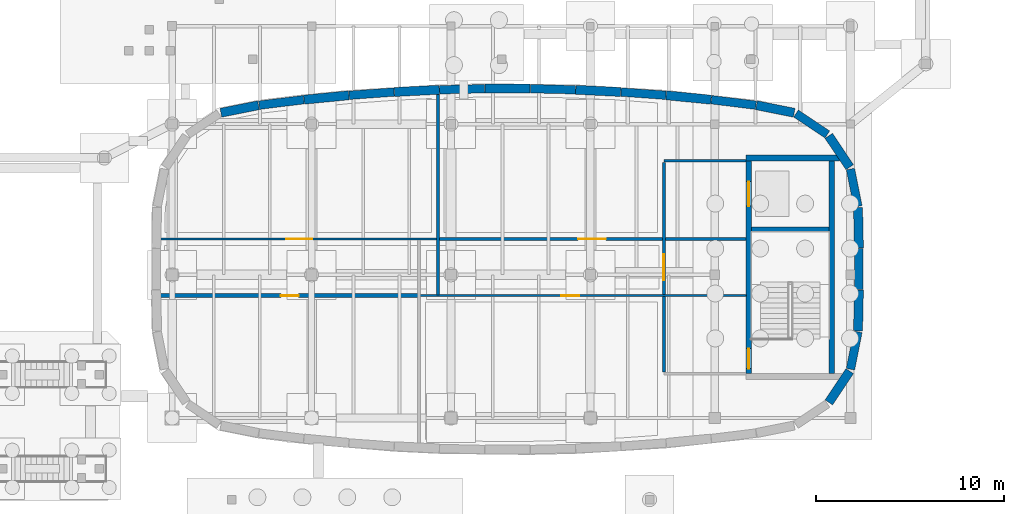
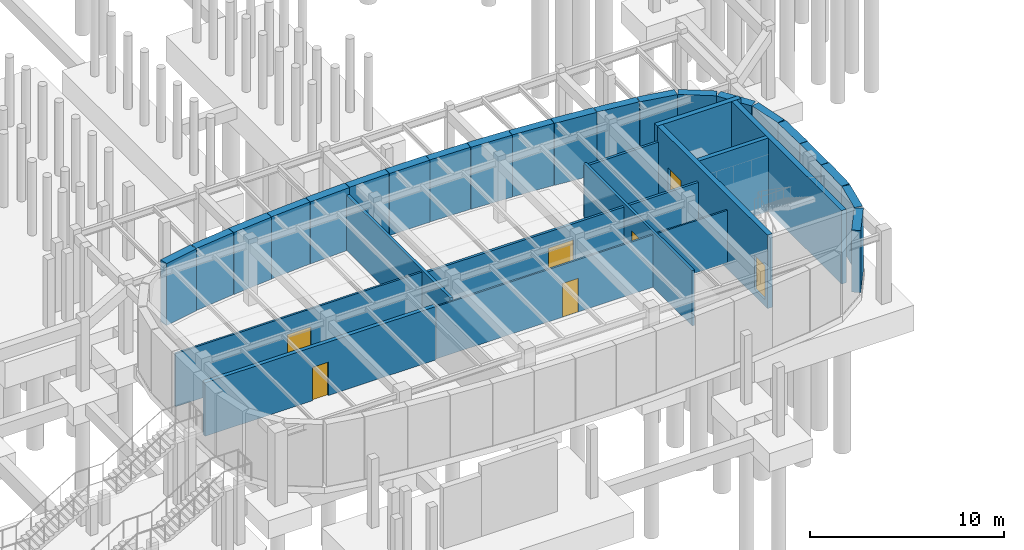
# One storey, part 34 of 45: 32 walls, 7 doors, 7 openings.
"""IFC4 building model written with IfcOpenShell, lengths in metres."""

from ifc_helpers import new_model, si_unit, direction, frame, frame_2d, origin, place, context, subcontext, project, spatial, rectangle, extrude, material, layer, layer_set, type_object, element, fill, save


model = new_model("IFC4")

# Units and contexts
model_context = context("Model", 3, precision=1e-05, world=origin(), true_north=direction((0.0, 1.0)))
body_context = subcontext(model_context, "Body", "Model", "MODEL_VIEW")
ifc_project = project(units=[si_unit("LENGTHUNIT", "METRE"), si_unit("AREAUNIT", "SQUARE_METRE"), si_unit("VOLUMEUNIT", "CUBIC_METRE"), si_unit("PLANEANGLEUNIT", "RADIAN"), si_unit("MASSUNIT", "GRAM", prefix="KILO")], contexts=[model_context])

# Site, building, storey
site_placement = place(None, origin())
site = spatial("IfcSite", under=ifc_project, at=site_placement, CompositionType="ELEMENT")
building_placement = place(site_placement, origin())
building = spatial("IfcBuilding", under=site, at=building_placement, Name="Corveleigh Park Community Centre", CompositionType="ELEMENT")
storey_placement = place(building_placement, frame((0.0, 0.0, -4.199951171875)))
storey = spatial("IfcBuildingStorey", under=building, at=storey_placement, Name="B1", CompositionType="ELEMENT", Elevation=-4.199951171875)

# Wall, opening, door
ifc_material_1 = material(Name="Gypsum acoustic stud partition", Category="gypsum")
ifc_layer_1 = layer(ifc_material_1, 0.10009765625, Name="Gypsum acoustic stud partition", Category="gypsum")
ifc_layer_set_1 = layer_set([ifc_layer_1], Name="Gypsum acoustic stud partition")
wall_type_1 = type_object("IfcWallType", Name="WL-PRT-100", PredefinedType="PARTITIONING", material=ifc_layer_set_1)
wall_1_placement = place(storey_placement, frame((85.10009765625, 17.699951171875, 0.0), z_axis=(0.0, 0.0, 1.0), x_axis=(1.0, 0.0, 0.0)))
wall_1 = element("IfcWall", 1, at=wall_1_placement, inside=storey, type_object=wall_type_1, Name="Bakery Teaching Kitchen corridor wall", PredefinedType="PARTITIONING", context=body_context, shape_type="SweptSolid", body=[
    extrude(rectangle(XDim=17.36181640625, YDim=0.10009765625, at=frame_2d((8.680908203125, 0.0))), origin(), (0.0, 0.0, 1.0), 3.284912109375),
])
opening_1_placement = place(wall_1_placement, frame((7.5458984375, 0.0, 0.0)))
opening_1 = element("IfcOpeningElement", 2, at=opening_1_placement, cuts=wall_1, Name="Opening ID02", PredefinedType="OPENING", context=body_context, shape_type="SweptSolid", body=[
    extrude(rectangle(XDim=0.949951171875, YDim=2.110107421875, at=frame_2d((0.47509765625, 1.05517578125))), frame((0.0, 0.06005859375, 0.0), z_axis=(0.0, -1.0, 0.0), x_axis=(1.0, 0.0, 0.0)), (0.0, 0.0, 1.0), 0.1201171875),
])
ifc_material_2 = material(Name="Hardwood acoustic door leaf", Category="wood")
door_type_1 = type_object("IfcDoorType", Name="DR-INT-0950x2110", OperationType="NOTDEFINED", PredefinedType="DOOR", material=ifc_material_2)
door_1_placement = place(opening_1_placement, origin())
door_1 = element("IfcDoor", 3, at=door_1_placement, inside=storey, type_object=door_type_1, Name="Bakery Teaching Kitchen door", OperationType="SINGLE_SWING_LEFT", OverallHeight=2.110107421875, OverallWidth=0.949951171875, PredefinedType="DOOR", context=body_context, shape_type="SweptSolid", body=[
    extrude(rectangle(XDim=0.949951171875, YDim=2.110107421875, at=frame_2d((0.47509765625, 1.05517578125))), frame((0.0, 0.02490234375, 0.0), z_axis=(0.0, -1.0, 0.0), x_axis=(1.0, 0.0, 0.0)), (0.0, 0.0, 1.0), 0.050048828125),
])
fill(opening_1, door_1)

ifc_layer_2 = layer(ifc_material_1, 0.114990234375, Name="Gypsum acoustic stud partition", Category="gypsum")
ifc_layer_set_2 = layer_set([ifc_layer_2], Name="Gypsum acoustic stud partition")
wall_type_2 = type_object("IfcWallType", Name="WL-PRT-115", PredefinedType="PARTITIONING", material=ifc_layer_set_2)
wall_2_placement = place(storey_placement, frame((86.10009765625, 20.699951171875, 0.0), z_axis=(0.0, 0.0, 1.0), x_axis=(-1.0, 0.0, 0.0)))
wall_2 = element("IfcWall", 4, at=wall_2_placement, inside=storey, type_object=wall_type_2, Name="Community Archive Vault corridor wall", PredefinedType="PARTITIONING", context=body_context, shape_type="SweptSolid", body=[
    extrude(rectangle(XDim=14.708984375, YDim=0.114990234375, at=frame_2d((7.3544921875, 0.0))), origin(), (0.0, 0.0, 1.0), 3.3349609375),
])
opening_2_placement = place(wall_2_placement, frame((6.6640625, 0.0, 0.0)))
opening_2 = element("IfcOpeningElement", 5, at=opening_2_placement, cuts=wall_2, Name="Opening FD02", PredefinedType="OPENING", context=body_context, shape_type="SweptSolid", body=[
    extrude(rectangle(XDim=1.3798828125, YDim=2.199951171875, at=frame_2d((0.68994140625, 1.10009765625))), frame((0.0, 0.0673828125, 0.0), z_axis=(0.0, -1.0, 0.0), x_axis=(1.0, 0.0, 0.0)), (0.0, 0.0, 1.0), 0.135009765625),
])
door_type_2 = type_object("IfcDoorType", Name="DR-FIR-1380x2200", OperationType="DOUBLE_DOOR_SINGLE_SWING", PredefinedType="DOOR", material=ifc_material_2)
door_2_placement = place(opening_2_placement, origin())
door_2 = element("IfcDoor", 6, at=door_2_placement, inside=storey, type_object=door_type_2, Name="Community Archive Vault door", OperationType="DOUBLE_DOOR_SINGLE_SWING", OverallHeight=2.199951171875, OverallWidth=1.3798828125, PredefinedType="DOOR", context=body_context, shape_type="SweptSolid", body=[
    extrude(rectangle(XDim=1.3798828125, YDim=2.199951171875, at=frame_2d((0.68994140625, 1.10009765625))), frame((0.0, 0.02490234375, 0.0), z_axis=(0.0, -1.0, 0.0), x_axis=(1.0, 0.0, 0.0)), (0.0, 0.0, 1.0), 0.050048828125),
])
fill(opening_2, door_2)

# Wall
ifc_layer_3 = layer(ifc_material_1, 0.14990234375, Name="Gypsum acoustic stud partition", Category="gypsum")
ifc_layer_set_3 = layer_set([ifc_layer_3], Name="Gypsum acoustic stud partition")
wall_type_3 = type_object("IfcWallType", Name="WL-PRT-150", PredefinedType="PARTITIONING", material=ifc_layer_set_3)
wall_3_placement = place(storey_placement, frame((102.465087890625, 24.85009765625, 0.0), z_axis=(0.0, 0.0, 1.0), x_axis=(-1.0, 0.0, 0.0)))
element("IfcWall", 7, at=wall_3_placement, inside=storey, type_object=wall_type_3, Name="CORE4 lobby north wall", PredefinedType="PARTITIONING", context=body_context, shape_type="SweptSolid", body=[
    extrude(rectangle(XDim=4.364990234375, YDim=0.14990234375, at=frame_2d((2.1826171875, 0.0))), origin(), (0.0, 0.0, 1.0), 3.23486328125),
])

# Wall, opening, door
wall_4_placement = place(storey_placement, frame((98.10009765625, 24.77001953125, 0.0), z_axis=(0.0, 0.0, 1.0), x_axis=(0.0, -1.0, 0.0)))
wall_4 = element("IfcWall", 8, at=wall_4_placement, inside=storey, type_object=wall_type_3, Name="CORE4 lobby corridor wall", PredefinedType="PARTITIONING", context=body_context, shape_type="SweptSolid", body=[
    extrude(rectangle(XDim=11.14013671875, YDim=0.14990234375, at=frame_2d((5.570068359375, 0.0))), origin(), (0.0, 0.0, 1.0), 3.471923828125),
])
opening_3_placement = place(wall_4_placement, frame((4.8798828125, 0.0, 0.0)))
opening_3 = element("IfcOpeningElement", 9, at=opening_3_placement, cuts=wall_4, Name="Opening FD02", PredefinedType="OPENING", context=body_context, shape_type="SweptSolid", body=[
    extrude(rectangle(XDim=1.3798828125, YDim=2.199951171875, at=frame_2d((0.68994140625, 1.10009765625))), frame((0.0, 0.0849609375, 0.0), z_axis=(0.0, -1.0, 0.0), x_axis=(1.0, 0.0, 0.0)), (0.0, 0.0, 1.0), 0.169921875),
])
door_3_placement = place(opening_3_placement, origin())
door_3 = element("IfcDoor", 10, at=door_3_placement, inside=storey, type_object=door_type_2, Name="Lobby CORE4 corridor door B1", OperationType="DOUBLE_DOOR_SINGLE_SWING", OverallHeight=2.199951171875, OverallWidth=1.3798828125, PredefinedType="DOOR", context=body_context, shape_type="SweptSolid", body=[
    extrude(rectangle(XDim=1.3798828125, YDim=2.199951171875, at=frame_2d((0.68994140625, 1.10009765625))), frame((0.0, 0.02490234375, 0.0), z_axis=(0.0, -1.0, 0.0), x_axis=(1.0, 0.0, 0.0)), (0.0, 0.0, 1.0), 0.050048828125),
])
fill(opening_3, door_3)

wall_5_placement = place(storey_placement, frame((102.4619140625, 20.699951171875, 0.0), z_axis=(0.0, 0.0, 1.0), x_axis=(-1.0, 0.0, 0.0)))
wall_5 = element("IfcWall", 11, at=wall_5_placement, inside=storey, type_object=wall_type_3, Name="Catering Staff Toilets B1 corridor wall", PredefinedType="PARTITIONING", context=body_context, shape_type="SweptSolid", body=[
    extrude(rectangle(XDim=16.36181640625, YDim=0.14990234375, at=frame_2d((8.180908203125, 0.0))), origin(), (0.0, 0.0, 1.0), 3.23486328125),
])
opening_4_placement = place(wall_5_placement, frame((7.44091796875, 0.0, 0.0)))
opening_4 = element("IfcOpeningElement", 12, at=opening_4_placement, cuts=wall_5, Name="Opening FD01", PredefinedType="OPENING", context=body_context, shape_type="SweptSolid", body=[
    extrude(rectangle(XDim=1.47998046875, YDim=2.219970703125, at=frame_2d((0.739990234375, 1.10986328125))), frame((0.0, 0.0849609375, 0.0), z_axis=(0.0, -1.0, 0.0), x_axis=(1.0, 0.0, 0.0)), (0.0, 0.0, 1.0), 0.169921875),
])
door_type_3 = type_object("IfcDoorType", Name="DR-FIR-1480x2220", OperationType="DOUBLE_DOOR_SINGLE_SWING", PredefinedType="DOOR", material=ifc_material_2)
door_4_placement = place(opening_4_placement, origin())
door_4 = element("IfcDoor", 13, at=door_4_placement, inside=storey, type_object=door_type_3, Name="Catering Staff Toilets B1 door", OperationType="DOUBLE_DOOR_SINGLE_SWING", OverallHeight=2.219970703125, OverallWidth=1.47998046875, PredefinedType="DOOR", context=body_context, shape_type="SweptSolid", body=[
    extrude(rectangle(XDim=1.47998046875, YDim=2.219970703125, at=frame_2d((0.739990234375, 1.10986328125))), frame((0.0, 0.02490234375, 0.0), z_axis=(0.0, -1.0, 0.0), x_axis=(1.0, 0.0, 0.0)), (0.0, 0.0, 1.0), 0.050048828125),
])
fill(opening_4, door_4)

# Wall
ifc_layer_4 = layer(ifc_material_1, 0.1650390625, Name="Gypsum acoustic stud partition", Category="gypsum")
ifc_layer_set_4 = layer_set([ifc_layer_4], Name="Gypsum acoustic stud partition")
wall_type_4 = type_object("IfcWallType", Name="WL-PRT-165", PredefinedType="PARTITIONING", material=ifc_layer_set_4)
wall_6_placement = place(storey_placement, frame((86.10009765625, 17.738037109375, 0.0), z_axis=(0.0, 0.0, 1.0), x_axis=(0.0, 1.0, 0.0)))
element("IfcWall", 14, at=wall_6_placement, inside=storey, type_object=wall_type_4, Name="Community Archive Vault partition", PredefinedType="PARTITIONING", context=body_context, shape_type="SweptSolid", body=[
    extrude(rectangle(XDim=10.64990234375, YDim=0.1650390625, at=frame_2d((5.324951171875, 0.0))), origin(), (0.0, 0.0, 1.0), 3.475830078125),
])

# Wall, opening, door
ifc_material_3 = material(Name="Masonry blockwork 7.3 MPa", Category="masonry")
ifc_layer_5 = layer(ifc_material_3, 0.22998046875, Name="Masonry blockwork 7.3 MPa", Category="masonry")
ifc_layer_set_5 = layer_set([ifc_layer_5], Name="Masonry blockwork 7.3 MPa")
wall_type_5 = type_object("IfcWallType", Name="WL-PRT-230", PredefinedType="PARTITIONING", material=ifc_layer_set_5)
wall_7_placement = place(storey_placement, frame((71.385986328125, 17.699951171875, 0.0), z_axis=(0.0, 0.0, 1.0), x_axis=(1.0, 0.0, 0.0)))
wall_7 = element("IfcWall", 15, at=wall_7_placement, inside=storey, type_object=wall_type_5, Name="Community Food Pantry Store corridor wall", PredefinedType="PARTITIONING", context=body_context, shape_type="SweptSolid", body=[
    extrude(rectangle(XDim=13.714111328125, YDim=0.22998046875, at=frame_2d((6.85693359375, 0.0))), origin(), (0.0, 0.0, 1.0), 3.35986328125),
])
opening_5_placement = place(wall_7_placement, frame((6.386962890625, 0.0, 0.0)))
opening_5 = element("IfcOpeningElement", 16, at=opening_5_placement, cuts=wall_7, Name="Opening FD09", PredefinedType="OPENING", context=body_context, shape_type="SweptSolid", body=[
    extrude(rectangle(XDim=0.93994140625, YDim=2.10009765625, at=frame_2d((0.469970703125, 1.050048828125))), frame((0.0, 0.125, 0.0), z_axis=(0.0, -1.0, 0.0), x_axis=(1.0, 0.0, 0.0)), (0.0, 0.0, 1.0), 0.25),
])
door_type_4 = type_object("IfcDoorType", Name="DR-FIR-0940x2100", OperationType="NOTDEFINED", PredefinedType="DOOR", material=ifc_material_2)
door_5_placement = place(opening_5_placement, origin())
door_5 = element("IfcDoor", 17, at=door_5_placement, inside=storey, type_object=door_type_4, Name="Community Food Pantry Store door", OperationType="SINGLE_SWING_RIGHT", OverallHeight=2.10009765625, OverallWidth=0.93994140625, PredefinedType="DOOR", context=body_context, shape_type="SweptSolid", body=[
    extrude(rectangle(XDim=0.93994140625, YDim=2.10009765625, at=frame_2d((0.469970703125, 1.050048828125))), frame((0.0, 0.02490234375, 0.0), z_axis=(0.0, -1.0, 0.0), x_axis=(1.0, 0.0, 0.0)), (0.0, 0.0, 1.0), 0.050048828125),
])
fill(opening_5, door_5)

# Walls
ifc_material_4 = material(Name="Concrete C40/50", Category="concrete")
ifc_layer_6 = layer(ifc_material_4, 0.449951171875, Name="Concrete C40/50", Category="concrete")
ifc_layer_set_6 = layer_set([ifc_layer_6], Name="Concrete C40/50")
wall_type_6 = type_object("IfcWallType", Name="WL-RET-450", PredefinedType="STANDARD", material=ifc_layer_set_6)
wall_8_placement = place(storey_placement, frame((108.39501953125, 15.77392578125, 0.0), z_axis=(0.0, 0.0, 1.0), x_axis=(-0.195003504379, -0.980802545511, 0.0)))
element("IfcWall", 18, at=wall_8_placement, inside=storey, type_object=wall_type_6, Name="V3 B1 retaining wall", PredefinedType="STANDARD", context=body_context, shape_type="SweptSolid", body=[
    extrude(rectangle(XDim=2.025634765625, YDim=0.449951171875, at=frame_2d((1.0126953125, 0.0))), origin(), (0.0, 0.0, 1.0), 3.89697265625),
])
wall_9_placement = place(storey_placement, frame((108.447998046875, 20.19091796875, 0.0), z_axis=(0.0, 0.0, 1.0), x_axis=(0.0, -1.0, 0.0)))
element("IfcWall", 19, at=wall_9_placement, inside=storey, type_object=wall_type_6, Name="V3 B1 retaining wall", PredefinedType="STANDARD", context=body_context, shape_type="SweptSolid", body=[
    extrude(rectangle(XDim=2.181884765625, YDim=0.449951171875, at=frame_2d((1.0908203125, 0.0))), origin(), (0.0, 0.0, 1.0), 3.89697265625),
])
wall_10_placement = place(storey_placement, frame((108.0, 24.4130859375, 0.0), z_axis=(0.0, 0.0, 1.0), x_axis=(0.194980456149, -0.980807127686, 0.0)))
element("IfcWall", 20, at=wall_10_placement, inside=storey, type_object=wall_type_6, Name="V3 B1 retaining wall", PredefinedType="STANDARD", context=body_context, shape_type="SweptSolid", body=[
    extrude(rectangle(XDim=2.02587890625, YDim=0.449951171875, at=frame_2d((1.012939453125, 0.0))), origin(), (0.0, 0.0, 1.0), 3.89697265625),
])
wall_11_placement = place(storey_placement, frame((105.111083984375, 27.35888671875, 0.0), z_axis=(0.0, 0.0, 1.0), x_axis=(0.831373235427, -0.55571444413, 0.0)))
element("IfcWall", 21, at=wall_11_placement, inside=storey, type_object=wall_type_6, Name="V3 B1 retaining wall", PredefinedType="STANDARD", context=body_context, shape_type="SweptSolid", body=[
    extrude(rectangle(XDim=1.9990234375, YDim=0.449951171875, at=frame_2d((0.99951171875, 0.0))), origin(), (0.0, 0.0, 1.0), 3.89697265625),
])
wall_12_placement = place(storey_placement, frame((100.6201171875, 28.092041015625, 0.0), z_axis=(0.0, 0.0, 1.0), x_axis=(0.99256366712, -0.121726606435, 0.0)))
element("IfcWall", 22, at=wall_12_placement, inside=storey, type_object=wall_type_6, Name="V3 B1 retaining wall", PredefinedType="STANDARD", context=body_context, shape_type="SweptSolid", body=[
    extrude(rectangle(XDim=2.3828125, YDim=0.449951171875, at=frame_2d((1.19140625, 0.0))), origin(), (0.0, 0.0, 1.0), 3.89697265625),
])
wall_13_placement = place(storey_placement, frame((95.822998046875, 28.5009765625, 0.0), z_axis=(0.0, 0.0, 1.0), x_axis=(0.997372398559, -0.07244514195, 0.0)))
element("IfcWall", 23, at=wall_13_placement, inside=storey, type_object=wall_type_6, Name="V3 B1 retaining wall", PredefinedType="STANDARD", context=body_context, shape_type="SweptSolid", body=[
    extrude(rectangle(XDim=2.389404296875, YDim=0.449951171875, at=frame_2d((1.19482421875, 0.0))), origin(), (0.0, 0.0, 1.0), 3.89697265625),
])
for number, where, z_axis, x_axis, name in (
    (24, (91.012939453125, 28.677978515625, 0.0), (0.0, 0.0, 1.0), (0.999706566975, -0.024223541189, 0.0), "V3 B1 retaining wall"),
    (25, (86.198974609375, 28.6201171875, 0.0), (0.0, 0.0, 1.0), (0.999706566975, 0.024223541189, 0.0), "V3 B1 retaining wall"),
):
    element("IfcWall", number, at=place(storey_placement, frame(where, z_axis=z_axis, x_axis=x_axis)), inside=storey, type_object=wall_type_6, Name=name, PredefinedType="STANDARD", context=body_context, shape_type="SweptSolid", body=[
        extrude(rectangle(XDim=2.388671875, YDim=0.449951171875, at=frame_2d((1.1943359375, 0.0))), origin(), (0.0, 0.0, 1.0), 3.89697265625),
    ])
wall_14_placement = place(storey_placement, frame((81.39404296875, 28.327880859375, 0.0), z_axis=(0.0, 0.0, 1.0), x_axis=(0.997372398559, 0.07244514195, 0.0)))
element("IfcWall", 26, at=wall_14_placement, inside=storey, type_object=wall_type_6, Name="V3 B1 retaining wall", PredefinedType="STANDARD", context=body_context, shape_type="SweptSolid", body=[
    extrude(rectangle(XDim=2.389404296875, YDim=0.449951171875, at=frame_2d((1.19482421875, 0.0))), origin(), (0.0, 0.0, 1.0), 3.89697265625),
])
wall_15_placement = place(storey_placement, frame((76.614990234375, 27.802001953125, 0.0), z_axis=(0.0, 0.0, 1.0), x_axis=(0.99256366712, 0.121726606435, 0.0)))
element("IfcWall", 27, at=wall_15_placement, inside=storey, type_object=wall_type_6, Name="V3 B1 retaining wall", PredefinedType="STANDARD", context=body_context, shape_type="SweptSolid", body=[
    extrude(rectangle(XDim=2.3828125, YDim=0.449951171875, at=frame_2d((1.19140625, 0.0))), origin(), (0.0, 0.0, 1.0), 3.89697265625),
])
ifc_layer_7 = layer(ifc_material_4, 0.47998046875, Name="Concrete C40/50", Category="concrete")
ifc_layer_set_7 = layer_set([ifc_layer_7], Name="Concrete C40/50")
wall_type_7 = type_object("IfcWallType", Name="WL-RET-480", PredefinedType="STANDARD", material=ifc_layer_set_7)
wall_16_placement = place(storey_placement, frame((107.958984375, 13.68896484375, 0.0), z_axis=(0.0, 0.0, 1.0), x_axis=(-0.555798853013, -0.831316807835, 0.0)))
element("IfcWall", 28, at=wall_16_placement, inside=storey, type_object=wall_type_7, Name="V3 B1 retaining wall", PredefinedType="STANDARD", context=body_context, shape_type="SweptSolid", body=[
    extrude(rectangle(XDim=1.9990234375, YDim=0.47998046875, at=frame_2d((0.99951171875, 0.0))), origin(), (0.0, 0.0, 1.0), 3.89697265625),
])
for number, where, z_axis, x_axis, name in (
    (29, (108.447998046875, 17.990966796875, 0.0), (0.0, 0.0, 1.0), (-0.021768306315, -0.999763042346, 0.0), "V3 B1 retaining wall"),
    (30, (108.40087890625, 22.373046875, 0.0), (0.0, 0.0, 1.0), (0.021768306315, -0.999763042346, 0.0), "V3 B1 retaining wall"),
):
    element("IfcWall", number, at=place(storey_placement, frame(where, z_axis=z_axis, x_axis=x_axis)), inside=storey, type_object=wall_type_7, Name=name, PredefinedType="STANDARD", context=body_context, shape_type="SweptSolid", body=[
        extrude(rectangle(XDim=2.16455078125, YDim=0.47998046875, at=frame_2d((1.082275390625, 0.0))), origin(), (0.0, 0.0, 1.0), 3.89697265625),
    ])
wall_17_placement = place(storey_placement, frame((106.847900390625, 26.173095703125, 0.0), z_axis=(0.0, 0.0, 1.0), x_axis=(0.555742429414, -0.831354528555, 0.0)))
element("IfcWall", 31, at=wall_17_placement, inside=storey, type_object=wall_type_7, Name="V3 B1 retaining wall", PredefinedType="STANDARD", context=body_context, shape_type="SweptSolid", body=[
    extrude(rectangle(XDim=1.999267578125, YDim=0.47998046875, at=frame_2d((0.99951171875, 0.0))), origin(), (0.0, 0.0, 1.0), 3.89697265625),
])
wall_18_placement = place(storey_placement, frame((103.014892578125, 27.797119140625, 0.0), z_axis=(0.0, 0.0, 1.0), x_axis=(0.980805885843, -0.194986702867, 0.0)))
element("IfcWall", 32, at=wall_18_placement, inside=storey, type_object=wall_type_7, Name="V3 B1 retaining wall", PredefinedType="STANDARD", context=body_context, shape_type="SweptSolid", body=[
    extrude(rectangle(XDim=2.037109375, YDim=0.47998046875, at=frame_2d((1.0185546875, 0.0))), origin(), (0.0, 0.0, 1.0), 3.89697265625),
])
wall_19_placement = place(storey_placement, frame((98.22412109375, 28.325927734375, 0.0), z_axis=(0.0, 0.0, 1.0), x_axis=(0.995277042211, -0.097075276191, 0.0)))
element("IfcWall", 33, at=wall_19_placement, inside=storey, type_object=wall_type_7, Name="V3 B1 retaining wall", PredefinedType="STANDARD", context=body_context, shape_type="SweptSolid", body=[
    extrude(rectangle(XDim=2.38916015625, YDim=0.47998046875, at=frame_2d((1.194580078125, 0.0))), origin(), (0.0, 0.0, 1.0), 3.89697265625),
])
wall_20_placement = place(storey_placement, frame((93.4189453125, 28.6201171875, 0.0), z_axis=(0.0, 0.0, 1.0), x_axis=(0.998775928043, -0.049463578141, 0.0)))
element("IfcWall", 34, at=wall_20_placement, inside=storey, type_object=wall_type_7, Name="V3 B1 retaining wall", PredefinedType="STANDARD", context=body_context, shape_type="SweptSolid", body=[
    extrude(rectangle(XDim=2.388916015625, YDim=0.47998046875, at=frame_2d((1.1943359375, 0.0))), origin(), (0.0, 0.0, 1.0), 3.89697265625),
])
wall_21_placement = place(storey_placement, frame((88.60498046875, 28.677978515625, 0.0), z_axis=(0.0, 0.0, 1.0), x_axis=(1.0, 0.0, 0.0)))
element("IfcWall", 35, at=wall_21_placement, inside=storey, type_object=wall_type_7, Name="V3 B1 retaining wall", PredefinedType="STANDARD", context=body_context, shape_type="SweptSolid", body=[
    extrude(rectangle(XDim=2.39013671875, YDim=0.47998046875, at=frame_2d((1.195068359375, 0.0))), origin(), (0.0, 0.0, 1.0), 3.89697265625),
])
wall_22_placement = place(storey_placement, frame((83.794921875, 28.501953125, 0.0), z_axis=(0.0, 0.0, 1.0), x_axis=(0.998775928043, 0.049463578141, 0.0)))
element("IfcWall", 36, at=wall_22_placement, inside=storey, type_object=wall_type_7, Name="V3 B1 retaining wall", PredefinedType="STANDARD", context=body_context, shape_type="SweptSolid", body=[
    extrude(rectangle(XDim=2.388916015625, YDim=0.47998046875, at=frame_2d((1.1943359375, 0.0))), origin(), (0.0, 0.0, 1.0), 3.89697265625),
])
wall_23_placement = place(storey_placement, frame((78.998046875, 28.093994140625, 0.0), z_axis=(0.0, 0.0, 1.0), x_axis=(0.995277042211, 0.097075276191, 0.0)))
element("IfcWall", 37, at=wall_23_placement, inside=storey, type_object=wall_type_7, Name="V3 B1 retaining wall", PredefinedType="STANDARD", context=body_context, shape_type="SweptSolid", body=[
    extrude(rectangle(XDim=2.38916015625, YDim=0.47998046875, at=frame_2d((1.194580078125, 0.0))), origin(), (0.0, 0.0, 1.0), 3.89697265625),
])
wall_24_placement = place(storey_placement, frame((74.5869140625, 27.39990234375, 0.0), z_axis=(0.0, 0.0, 1.0), x_axis=(0.980805885843, 0.194986702867, 0.0)))
element("IfcWall", 38, at=wall_24_placement, inside=storey, type_object=wall_type_7, Name="V3 B1 retaining wall", PredefinedType="STANDARD", context=body_context, shape_type="SweptSolid", body=[
    extrude(rectangle(XDim=2.037109375, YDim=0.47998046875, at=frame_2d((1.0185546875, 0.0))), origin(), (0.0, 0.0, 1.0), 3.89697265625),
])
ifc_layer_8 = layer(ifc_material_4, 0.25, Name="Concrete C40/50", Category="concrete")
ifc_layer_set_8 = layer_set([ifc_layer_8], Name="Concrete C40/50")
wall_type_8 = type_object("IfcWallType", Name="WL-SHR-250", PredefinedType="SHEAR", material=ifc_layer_set_8)
wall_25_placement = place(storey_placement, frame((102.75, 21.199951171875, -0.4150390625), z_axis=(0.0, 0.0, 1.0), x_axis=(1.0, 0.0, 0.0)))
element("IfcWall", 39, at=wall_25_placement, inside=storey, type_object=wall_type_8, Name="CORE4 shaft wall", PredefinedType="SHEAR", context=body_context, shape_type="SweptSolid", body=[
    extrude(rectangle(XDim=4.10009765625, YDim=0.25, at=frame_2d((2.050048828125, 0.0))), origin(), (0.0, 0.0, 1.0), 4.614990234375),
])
ifc_layer_9 = layer(ifc_material_4, 0.300048828125, Name="Concrete C40/50", Category="concrete")
ifc_layer_set_9 = layer_set([ifc_layer_9], Name="Concrete C40/50")
wall_type_9 = type_object("IfcWallType", Name="WL-SHR-300", PredefinedType="SHEAR", material=ifc_layer_set_9)
wall_26_placement = place(storey_placement, frame((107.0, 13.550048828125, -0.4150390625), z_axis=(0.0, 0.0, 1.0), x_axis=(0.0, 1.0, 0.0)))
element("IfcWall", 40, at=wall_26_placement, inside=storey, type_object=wall_type_9, Name="CORE4 east shear wall", PredefinedType="SHEAR", context=body_context, shape_type="SweptSolid", body=[
    extrude(rectangle(XDim=11.300048828125, YDim=0.300048828125, at=frame_2d((5.64990234375, 0.0))), origin(), (0.0, 0.0, 1.0), 4.614990234375),
])
wall_27_placement = place(storey_placement, frame((107.406982421875, 25.0, -0.4150390625), z_axis=(0.0, 0.0, 1.0), x_axis=(-1.0, 0.0, 0.0)))
element("IfcWall", 41, at=wall_27_placement, inside=storey, type_object=wall_type_9, Name="CORE4 north shear wall", PredefinedType="SHEAR", context=body_context, shape_type="SweptSolid", body=[
    extrude(rectangle(XDim=4.95703125, YDim=0.300048828125, at=frame_2d((2.478515625, 0.0))), origin(), (0.0, 0.0, 1.0), 4.614990234375),
])

# Wall, openings, doors
wall_28_placement = place(storey_placement, frame((102.60009765625, 24.85009765625, -0.4150390625), z_axis=(0.0, 0.0, 1.0), x_axis=(0.0, -1.0, 0.0)))
wall_28 = element("IfcWall", 42, at=wall_28_placement, inside=storey, type_object=wall_type_9, Name="CORE4 west lobby wall", PredefinedType="SHEAR", context=body_context, shape_type="SweptSolid", body=[
    extrude(rectangle(XDim=11.300048828125, YDim=0.300048828125, at=frame_2d((5.64990234375, 0.0))), origin(), (0.0, 0.0, 1.0), 4.614990234375),
])
opening_6_placement = place(wall_28_placement, frame((1.10009765625, 0.0, 0.4150390625)))
opening_6 = element("IfcOpeningElement", 43, at=opening_6_placement, cuts=wall_28, Name="Opening LD03", PredefinedType="OPENING", context=body_context, shape_type="SweptSolid", body=[
    extrude(rectangle(XDim=1.300048828125, YDim=2.25, at=frame_2d((0.64990234375, 1.125))), frame((0.0, 0.159912109375, 0.0), z_axis=(0.0, -1.0, 0.0), x_axis=(1.0, 0.0, 0.0)), (0.0, 0.0, 1.0), 0.320068359375),
])
opening_7_placement = place(wall_28_placement, frame((9.969970703125, 0.0, 0.4150390625)))
opening_7 = element("IfcOpeningElement", 44, at=opening_7_placement, cuts=wall_28, Name="Opening FD04", PredefinedType="OPENING", context=body_context, shape_type="SweptSolid", body=[
    extrude(rectangle(XDim=1.06005859375, YDim=2.14990234375, at=frame_2d((0.530029296875, 1.074951171875))), frame((0.0, 0.159912109375, 0.0), z_axis=(0.0, -1.0, 0.0), x_axis=(1.0, 0.0, 0.0)), (0.0, 0.0, 1.0), 0.320068359375),
])
door_type_5 = type_object("IfcDoorType", Name="DR-FIR-1060x2150", OperationType="NOTDEFINED", PredefinedType="DOOR", material=ifc_material_2)
door_6_placement = place(opening_7_placement, origin())
door_6 = element("IfcDoor", 45, at=door_6_placement, inside=storey, type_object=door_type_5, Name="Stair ST4 fire door B1", OperationType="SINGLE_SWING_LEFT", OverallHeight=2.14990234375, OverallWidth=1.06005859375, PredefinedType="DOOR", context=body_context, shape_type="SweptSolid", body=[
    extrude(rectangle(XDim=1.06005859375, YDim=2.14990234375, at=frame_2d((0.530029296875, 1.074951171875))), frame((0.0, 0.02490234375, 0.0), z_axis=(0.0, -1.0, 0.0), x_axis=(1.0, 0.0, 0.0)), (0.0, 0.0, 1.0), 0.050048828125),
])
fill(opening_7, door_6)
ifc_material_5 = material(Name="Brushed stainless steel lift car", Category="steel")
door_type_6 = type_object("IfcDoorType", Name="DR-LFT-1300x2250", OperationType="DOUBLE_DOOR_SLIDING", PredefinedType="DOOR", material=ifc_material_5)
door_7_placement = place(opening_6_placement, origin())
door_7 = element("IfcDoor", 46, at=door_7_placement, inside=storey, type_object=door_type_6, Name="Lift GL1 landing door B1", OperationType="DOUBLE_DOOR_SLIDING", OverallHeight=2.25, OverallWidth=1.300048828125, PredefinedType="DOOR", context=body_context, shape_type="SweptSolid", body=[
    extrude(rectangle(XDim=1.300048828125, YDim=2.25, at=frame_2d((0.64990234375, 1.125))), frame((0.0, 0.02490234375, 0.0), z_axis=(0.0, -1.0, 0.0), x_axis=(1.0, 0.0, 0.0)), (0.0, 0.0, 1.0), 0.050048828125),
])
fill(opening_6, door_7)

save(model, "model.ifc")
